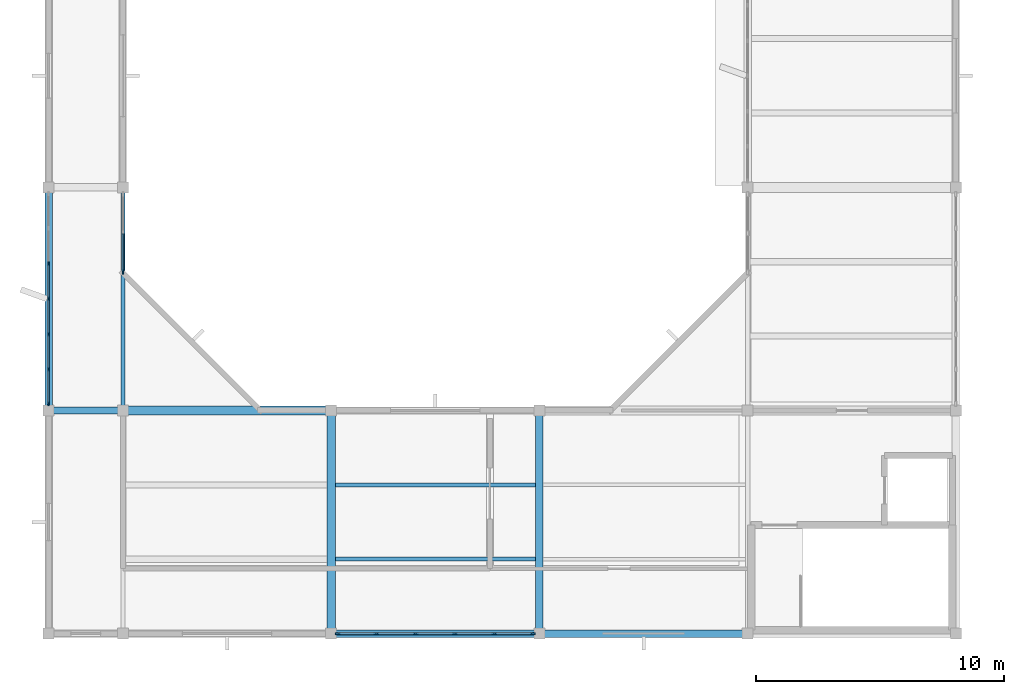
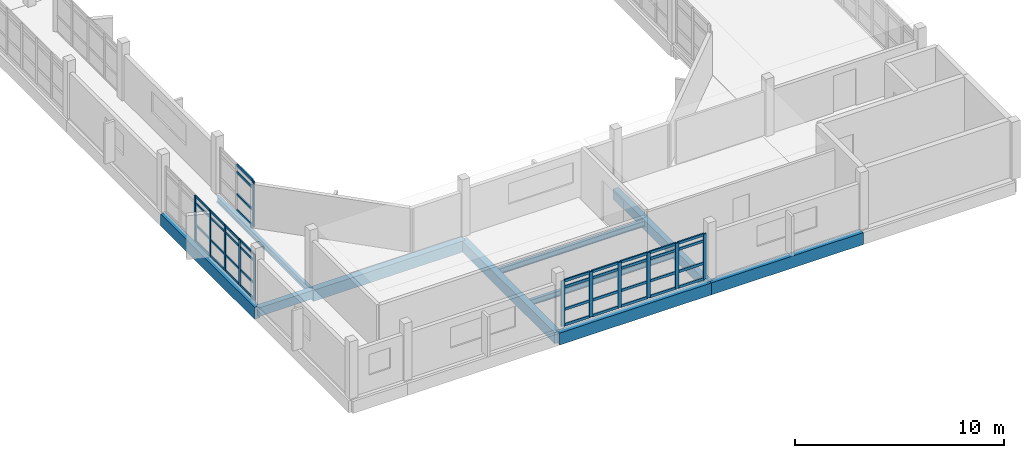
# One storey, part 2 of 33: 52 members, 10 beams, 3 elements without a shape of their own.
"""IFC4 building model written with IfcOpenShell, lengths in metres."""

from ifc_helpers import new_model, si_unit, direction, frame, origin, origin_2d, place, context, subcontext, project, spatial, rectangle, i_section, extrude, material, material_profile, profile_set, type_object, element, aggregate, save


model = new_model("IFC4")

# Units and contexts
model_context = context("Model", 3, precision=1e-05, world=origin(), true_north=direction((0.0, 1.0)))
body_context = subcontext(model_context, "Body", "Model", "MODEL_VIEW")
ifc_project = project(units=[si_unit("LENGTHUNIT", "METRE"), si_unit("AREAUNIT", "SQUARE_METRE"), si_unit("VOLUMEUNIT", "CUBIC_METRE"), si_unit("PLANEANGLEUNIT", "RADIAN"), si_unit("MASSUNIT", "GRAM", prefix="KILO")], contexts=[model_context])

# Site, building, storey
site_placement = place(None, origin())
site = spatial("IfcSite", under=ifc_project, at=site_placement, CompositionType="ELEMENT")
building_placement = place(site_placement, origin())
building = spatial("IfcBuilding", under=site, at=building_placement, Name="Vanh Quang Courtyard School", CompositionType="ELEMENT")
storey_placement = place(building_placement, frame((0.0, 0.0, 18.60009765625)))
storey = spatial("IfcBuildingStorey", under=building, at=storey_placement, Name="L05", CompositionType="ELEMENT", Elevation=18.60009765625)

# Beams
ifc_material_1 = material(Name="Concrete C35/45", Category="concrete")
ifc_material_profile_1 = material_profile(ifc_material_1, rectangle(XDim=0.300048828125, YDim=0.5, at=origin_2d()), Name="RC-BM 300x500")
ifc_profile_set_1 = profile_set([ifc_material_profile_1], Name="Concrete C35/45")
beam_type_1 = type_object("IfcBeamType", Name="BM-RC-300x500", PredefinedType="BEAM", material=ifc_profile_set_1)
beam_1_placement = place(storey_placement, frame((37.800048828125, 41.39990234375, -0.5), z_axis=(1.0, 0.0, 0.0), x_axis=(0.0, 1.0, 0.0)))
element("IfcBeam", 1, at=beam_1_placement, inside=storey, type_object=beam_type_1, Name="Beam B-08 (L05)", PredefinedType="BEAM", context=body_context, shape_type="SweptSolid", body=[
    extrude(rectangle(XDim=0.300048828125, YDim=0.5, at=origin_2d()), origin(), (0.0, 0.0, 1.0), 3.0),
])
ifc_material_profile_2 = material_profile(ifc_material_1, rectangle(XDim=0.300048828125, YDim=0.60009765625, at=origin_2d()), Name="RC-BM 300x600")
ifc_profile_set_2 = profile_set([ifc_material_profile_2], Name="Concrete C35/45")
beam_type_2 = type_object("IfcBeamType", Name="BM-RC-300x600", PredefinedType="BEAM", material=ifc_profile_set_2)
beam_2_placement = place(storey_placement, frame((57.60009765625, 32.39990234375, -0.550048828125), z_axis=(0.0, 1.0, 0.0), x_axis=(-1.0, 0.0, 0.0)))
element("IfcBeam", 2, at=beam_2_placement, inside=storey, type_object=beam_type_2, Name="Beam B-06 (L05)", PredefinedType="BEAM", context=body_context, shape_type="SweptSolid", body=[
    extrude(rectangle(XDim=0.300048828125, YDim=0.60009765625, at=origin_2d()), origin(), (0.0, 0.0, 1.0), 9.0),
])
ifc_material_profile_3 = material_profile(ifc_material_1, rectangle(XDim=0.35009765625, YDim=0.64990234375, at=origin_2d()), Name="RC-BM 350x650")
ifc_profile_set_3 = profile_set([ifc_material_profile_3], Name="Concrete C35/45")
beam_type_3 = type_object("IfcBeamType", Name="BM-RC-350x650", PredefinedType="BEAM", material=ifc_profile_set_3)
beam_3_placement = place(storey_placement, frame((40.800048828125, 41.39990234375, -0.5751953125), z_axis=(1.0, 0.0, 0.0), x_axis=(0.0, 1.0, 0.0)))
element("IfcBeam", 3, at=beam_3_placement, inside=storey, type_object=beam_type_3, Name="Beam B-05 (L05)", PredefinedType="BEAM", context=body_context, shape_type="SweptSolid", body=[
    extrude(rectangle(XDim=0.35009765625, YDim=0.64990234375, at=origin_2d()), origin(), (0.0, 0.0, 1.0), 8.39990234375),
])
beam_4_placement = place(storey_placement, frame((49.199951171875, 32.39990234375, -0.5751953125), z_axis=(0.0, 1.0, 0.0), x_axis=(-1.0, 0.0, 0.0)))
element("IfcBeam", 4, at=beam_4_placement, inside=storey, type_object=beam_type_3, Name="Beam B-05 (L05)", PredefinedType="BEAM", context=body_context, shape_type="SweptSolid", body=[
    extrude(rectangle(XDim=0.35009765625, YDim=0.64990234375, at=origin_2d()), origin(), (0.0, 0.0, 1.0), 9.0),
])
ifc_material_profile_4 = material_profile(ifc_material_1, rectangle(XDim=0.300048828125, YDim=0.699951171875, at=origin_2d()), Name="RC-SP 300x700")
ifc_profile_set_4 = profile_set([ifc_material_profile_4], Name="Concrete C35/45")
beam_type_4 = type_object("IfcBeamType", Name="BM-SP-300x700", PredefinedType="SPANDREL", material=ifc_profile_set_4)
beam_5_placement = place(storey_placement, frame((49.199951171875, 32.39990234375, -0.60009765625), z_axis=(1.0, 0.0, 0.0), x_axis=(0.0, 1.0, 0.0)))
element("IfcBeam", 5, at=beam_5_placement, inside=storey, type_object=beam_type_4, Name="Beam BS-01 (L05)", PredefinedType="SPANDREL", context=body_context, shape_type="SweptSolid", body=[
    extrude(rectangle(XDim=0.300048828125, YDim=0.699951171875, at=origin_2d()), origin(), (0.0, 0.0, 1.0), 8.400146484375),
])
beam_6_placement = place(storey_placement, frame((57.60009765625, 32.39990234375, -0.60009765625), z_axis=(1.0, 0.0, 0.0), x_axis=(0.0, 1.0, 0.0)))
element("IfcBeam", 6, at=beam_6_placement, inside=storey, type_object=beam_type_4, Name="Beam BS-01 (L05)", PredefinedType="SPANDREL", context=body_context, shape_type="SweptSolid", body=[
    extrude(rectangle(XDim=0.300048828125, YDim=0.699951171875, at=origin_2d()), origin(), (0.0, 0.0, 1.0), 8.39990234375),
])
beam_7_placement = place(storey_placement, frame((37.800048828125, 41.39990234375, -0.60009765625), z_axis=(0.0, 1.0, 0.0), x_axis=(-1.0, 0.0, 0.0)))
element("IfcBeam", 7, at=beam_7_placement, inside=storey, type_object=beam_type_4, Name="Beam BS-01 (L05)", PredefinedType="SPANDREL", context=body_context, shape_type="SweptSolid", body=[
    extrude(rectangle(XDim=0.300048828125, YDim=0.699951171875, at=origin_2d()), origin(), (0.0, 0.0, 1.0), 9.0),
])
ifc_material_2 = material(Name="Structural steel EN 10025-2 S355J2", Category="steel")
ifc_material_profile_5 = material_profile(ifc_material_2, i_section(OverallWidth=0.169921875, OverallDepth=0.360107421875, WebThickness=0.008056640625, FlangeThickness=0.0126953125, FilletRadius=0.01806640625, at=origin_2d()), Name="IPE 360")
ifc_profile_set_5 = profile_set([ifc_material_profile_5], Name="Structural steel EN 10025-2 S355J2")
beam_type_5 = type_object("IfcBeamType", Name="BM-STL-IPE360", PredefinedType="BEAM", material=ifc_profile_set_5)
beam_8_placement = place(storey_placement, frame((40.800048828125, 41.39990234375, -0.43017578125), z_axis=(0.0, 1.0, 0.0), x_axis=(-1.0, 0.0, 0.0)))
element("IfcBeam", 8, at=beam_8_placement, inside=storey, type_object=beam_type_5, Name="Beam SB-06 (L05)", PredefinedType="BEAM", context=body_context, shape_type="SweptSolid", body=[
    extrude(i_section(OverallWidth=0.169921875, OverallDepth=0.360107421875, WebThickness=0.008056640625, FlangeThickness=0.0126953125, FilletRadius=0.01806640625, at=origin_2d()), origin(), (0.0, 0.0, 1.0), 9.0),
])

# Curtain wall, members
ifc_material_3 = material(Name="Thermally broken aluminium unitised curtain wall", Category="aluminium")
curtain_wall_type_1 = type_object("IfcCurtainWallType", Name="CW-SYS-50", PredefinedType="NOTDEFINED", material=ifc_material_3)
curtain_wall_1_placement = place(storey_placement, origin())
curtain_wall_1 = element("IfcCurtainWall", 9, at=curtain_wall_1_placement, inside=storey, type_object=curtain_wall_type_1, Name="Curtain Wall CW-50 (L05)", PredefinedType="NOTDEFINED")
ifc_material_4 = material(Name="Anodised aluminium 6063-T6", Category="aluminium")
ifc_material_profile_6 = material_profile(ifc_material_4, rectangle(XDim=0.06005859375, YDim=0.159912109375, at=origin_2d()), Name="ALU-MUL 60x160")
ifc_profile_set_6 = profile_set([ifc_material_profile_6], Name="Anodised aluminium 6063-T6")
member_type_1 = type_object("IfcMemberType", Name="CW-MUL-60x160", PredefinedType="MULLION", material=ifc_profile_set_6)
member_1_placement = place(storey_placement, frame((37.800048828125, 41.6630859375, 0.0), z_axis=(0.0, 0.0, 1.0), x_axis=(-1.0, 0.0, 0.0)))
member_1 = element("IfcMember", 10, at=member_1_placement, type_object=member_type_1, Name="CW-50 mullion 1", PredefinedType="MULLION", context=body_context, shape_type="SweptSolid", body=[
    extrude(rectangle(XDim=0.06005859375, YDim=0.159912109375, at=origin_2d()), origin(), (0.0, 0.0, 1.0), 2.64990234375),
])
member_2_placement = place(storey_placement, frame((37.800048828125, 43.055419921875, 0.0), z_axis=(0.0, 0.0, 1.0), x_axis=(-1.0, 0.0, 0.0)))
member_2 = element("IfcMember", 11, at=member_2_placement, type_object=member_type_1, Name="CW-50 mullion 2", PredefinedType="MULLION", context=body_context, shape_type="SweptSolid", body=[
    extrude(rectangle(XDim=0.06005859375, YDim=0.159912109375, at=origin_2d()), origin(), (0.0, 0.0, 1.0), 2.64990234375),
])
member_3_placement = place(storey_placement, frame((37.800048828125, 44.477783203125, 0.0), z_axis=(0.0, 0.0, 1.0), x_axis=(-1.0, 0.0, 0.0)))
member_3 = element("IfcMember", 12, at=member_3_placement, type_object=member_type_1, Name="CW-50 mullion 3", PredefinedType="MULLION", context=body_context, shape_type="SweptSolid", body=[
    extrude(rectangle(XDim=0.06005859375, YDim=0.159912109375, at=origin_2d()), origin(), (0.0, 0.0, 1.0), 2.64990234375),
])
member_4_placement = place(storey_placement, frame((37.800048828125, 45.89990234375, 0.0), z_axis=(0.0, 0.0, 1.0), x_axis=(-1.0, 0.0, 0.0)))
member_4 = element("IfcMember", 13, at=member_4_placement, type_object=member_type_1, Name="CW-50 mullion 4", PredefinedType="MULLION", context=body_context, shape_type="SweptSolid", body=[
    extrude(rectangle(XDim=0.06005859375, YDim=0.159912109375, at=origin_2d()), origin(), (0.0, 0.0, 1.0), 2.64990234375),
])
member_5_placement = place(storey_placement, frame((37.800048828125, 47.322265625, 0.0), z_axis=(0.0, 0.0, 1.0), x_axis=(-1.0, 0.0, 0.0)))
member_5 = element("IfcMember", 14, at=member_5_placement, type_object=member_type_1, Name="CW-50 mullion 5", PredefinedType="MULLION", context=body_context, shape_type="SweptSolid", body=[
    extrude(rectangle(XDim=0.06005859375, YDim=0.159912109375, at=origin_2d()), origin(), (0.0, 0.0, 1.0), 2.64990234375),
])

# Curtain wall, member
curtain_wall_type_2 = type_object("IfcCurtainWallType", Name="CW-SYS-43", PredefinedType="NOTDEFINED", material=ifc_material_3)
curtain_wall_2_placement = place(storey_placement, origin())
curtain_wall_2 = element("IfcCurtainWall", 15, at=curtain_wall_2_placement, inside=storey, type_object=curtain_wall_type_2, Name="Curtain Wall CW-43 (L05)", PredefinedType="NOTDEFINED")
ifc_material_profile_7 = material_profile(ifc_material_4, rectangle(XDim=0.070068359375, YDim=0.179931640625, at=origin_2d()), Name="ALU-MUL 70x180")
ifc_profile_set_7 = profile_set([ifc_material_profile_7], Name="Anodised aluminium 6063-T6")
member_type_2 = type_object("IfcMemberType", Name="CW-MUL-70x180", PredefinedType="MULLION", material=ifc_profile_set_7)
member_6_placement = place(storey_placement, frame((40.800048828125, 46.97900390625, 0.0), z_axis=(0.0, 0.0, 1.0), x_axis=(1.0, 0.0, 0.0)))
member_6 = element("IfcMember", 16, at=member_6_placement, type_object=member_type_2, Name="CW-43 mullion 3", PredefinedType="MULLION", context=body_context, shape_type="SweptSolid", body=[
    extrude(rectangle(XDim=0.070068359375, YDim=0.179931640625, at=origin_2d()), origin(), (0.0, 0.0, 1.0), 2.699951171875),
])

# Curtain wall, members
curtain_wall_type_3 = type_object("IfcCurtainWallType", Name="CW-SYS-19", PredefinedType="NOTDEFINED", material=ifc_material_3)
curtain_wall_3_placement = place(storey_placement, origin())
curtain_wall_3 = element("IfcCurtainWall", 17, at=curtain_wall_3_placement, inside=storey, type_object=curtain_wall_type_3, Name="Curtain Wall CW-19 (L05)", PredefinedType="NOTDEFINED")
ifc_material_profile_8 = material_profile(ifc_material_4, rectangle(XDim=0.080078125, YDim=0.199951171875, at=origin_2d()), Name="ALU-MUL 80x200")
ifc_profile_set_8 = profile_set([ifc_material_profile_8], Name="Anodised aluminium 6063-T6")
member_type_3 = type_object("IfcMemberType", Name="CW-MUL-80x200", PredefinedType="MULLION", material=ifc_profile_set_8)
member_7_placement = place(storey_placement, frame((57.326904296875, 32.39990234375, 0.0), z_axis=(0.0, 0.0, 1.0), x_axis=(0.0, -1.0, 0.0)))
member_7 = element("IfcMember", 18, at=member_7_placement, type_object=member_type_3, Name="CW-19 mullion 1", PredefinedType="MULLION", context=body_context, shape_type="SweptSolid", body=[
    extrude(rectangle(XDim=0.080078125, YDim=0.199951171875, at=origin_2d()), origin(), (0.0, 0.0, 1.0), 2.64990234375),
])
member_8_placement = place(storey_placement, frame((55.7802734375, 32.39990234375, 0.0), z_axis=(0.0, 0.0, 1.0), x_axis=(0.0, -1.0, 0.0)))
member_8 = element("IfcMember", 19, at=member_8_placement, type_object=member_type_3, Name="CW-19 mullion 2", PredefinedType="MULLION", context=body_context, shape_type="SweptSolid", body=[
    extrude(rectangle(XDim=0.080078125, YDim=0.199951171875, at=origin_2d()), origin(), (0.0, 0.0, 1.0), 2.64990234375),
])
member_9_placement = place(storey_placement, frame((54.193359375, 32.39990234375, 0.0), z_axis=(0.0, 0.0, 1.0), x_axis=(0.0, -1.0, 0.0)))
member_9 = element("IfcMember", 20, at=member_9_placement, type_object=member_type_3, Name="CW-19 mullion 3", PredefinedType="MULLION", context=body_context, shape_type="SweptSolid", body=[
    extrude(rectangle(XDim=0.080078125, YDim=0.199951171875, at=origin_2d()), origin(), (0.0, 0.0, 1.0), 2.64990234375),
])
member_10_placement = place(storey_placement, frame((52.606689453125, 32.39990234375, 0.0), z_axis=(0.0, 0.0, 1.0), x_axis=(0.0, -1.0, 0.0)))
member_10 = element("IfcMember", 21, at=member_10_placement, type_object=member_type_3, Name="CW-19 mullion 4", PredefinedType="MULLION", context=body_context, shape_type="SweptSolid", body=[
    extrude(rectangle(XDim=0.080078125, YDim=0.199951171875, at=origin_2d()), origin(), (0.0, 0.0, 1.0), 2.64990234375),
])
member_11_placement = place(storey_placement, frame((51.019775390625, 32.39990234375, 0.0), z_axis=(0.0, 0.0, 1.0), x_axis=(0.0, -1.0, 0.0)))
member_11 = element("IfcMember", 22, at=member_11_placement, type_object=member_type_3, Name="CW-19 mullion 5", PredefinedType="MULLION", context=body_context, shape_type="SweptSolid", body=[
    extrude(rectangle(XDim=0.080078125, YDim=0.199951171875, at=origin_2d()), origin(), (0.0, 0.0, 1.0), 2.64990234375),
])
member_12_placement = place(storey_placement, frame((49.472900390625, 32.39990234375, 0.0), z_axis=(0.0, 0.0, 1.0), x_axis=(0.0, -1.0, 0.0)))
member_12 = element("IfcMember", 23, at=member_12_placement, type_object=member_type_3, Name="CW-19 mullion 6", PredefinedType="MULLION", context=body_context, shape_type="SweptSolid", body=[
    extrude(rectangle(XDim=0.080078125, YDim=0.199951171875, at=origin_2d()), origin(), (0.0, 0.0, 1.0), 2.64990234375),
])

# Member
ifc_material_profile_9 = material_profile(ifc_material_4, rectangle(XDim=0.06005859375, YDim=0.1201171875, at=origin_2d()), Name="ALU-TRN 60x120")
ifc_profile_set_9 = profile_set([ifc_material_profile_9], Name="Anodised aluminium 6063-T6")
member_type_4 = type_object("IfcMemberType", Name="CW-TRN-60x120", PredefinedType="USERDEFINED", material=ifc_profile_set_9)
member_13_placement = place(storey_placement, frame((37.800048828125, 41.693115234375, 0.02978515625), z_axis=(0.0, 1.0, 0.0), x_axis=(-1.0, 0.0, 0.0)))
member_13 = element("IfcMember", 24, at=member_13_placement, type_object=member_type_4, Name="CW-50 transom 1.1", ObjectType="TRANSOM", PredefinedType="USERDEFINED", context=body_context, shape_type="SweptSolid", body=[
    extrude(rectangle(XDim=0.06005859375, YDim=0.1201171875, at=origin_2d()), origin(), (0.0, 0.0, 1.0), 1.332275390625),
])

member_14_placement = place(storey_placement, frame((37.800048828125, 41.693115234375, 0.949951171875), z_axis=(0.0, 1.0, 0.0), x_axis=(-1.0, 0.0, 0.0)))
member_14 = element("IfcMember", 25, at=member_14_placement, type_object=member_type_4, Name="CW-50 transom 1.2", ObjectType="TRANSOM", PredefinedType="USERDEFINED", context=body_context, shape_type="SweptSolid", body=[
    extrude(rectangle(XDim=0.06005859375, YDim=0.1201171875, at=origin_2d()), origin(), (0.0, 0.0, 1.0), 1.332275390625),
])

member_15_placement = place(storey_placement, frame((37.800048828125, 41.693115234375, 2.25), z_axis=(0.0, 1.0, 0.0), x_axis=(-1.0, 0.0, 0.0)))
member_15 = element("IfcMember", 26, at=member_15_placement, type_object=member_type_4, Name="CW-50 transom 1.3", ObjectType="TRANSOM", PredefinedType="USERDEFINED", context=body_context, shape_type="SweptSolid", body=[
    extrude(rectangle(XDim=0.06005859375, YDim=0.1201171875, at=origin_2d()), origin(), (0.0, 0.0, 1.0), 1.332275390625),
])

member_16_placement = place(storey_placement, frame((37.800048828125, 41.693115234375, 2.619873046875), z_axis=(0.0, 1.0, 0.0), x_axis=(-1.0, 0.0, 0.0)))
member_16 = element("IfcMember", 27, at=member_16_placement, type_object=member_type_4, Name="CW-50 transom 1.4", ObjectType="TRANSOM", PredefinedType="USERDEFINED", context=body_context, shape_type="SweptSolid", body=[
    extrude(rectangle(XDim=0.06005859375, YDim=0.1201171875, at=origin_2d()), origin(), (0.0, 0.0, 1.0), 1.332275390625),
])

member_17_placement = place(storey_placement, frame((37.800048828125, 43.08544921875, 0.02978515625), z_axis=(0.0, 1.0, 0.0), x_axis=(-1.0, 0.0, 0.0)))
member_17 = element("IfcMember", 28, at=member_17_placement, type_object=member_type_4, Name="CW-50 transom 2.1", ObjectType="TRANSOM", PredefinedType="USERDEFINED", context=body_context, shape_type="SweptSolid", body=[
    extrude(rectangle(XDim=0.06005859375, YDim=0.1201171875, at=origin_2d()), origin(), (0.0, 0.0, 1.0), 1.3623046875),
])

member_18_placement = place(storey_placement, frame((37.800048828125, 43.08544921875, 0.949951171875), z_axis=(0.0, 1.0, 0.0), x_axis=(-1.0, 0.0, 0.0)))
member_18 = element("IfcMember", 29, at=member_18_placement, type_object=member_type_4, Name="CW-50 transom 2.2", ObjectType="TRANSOM", PredefinedType="USERDEFINED", context=body_context, shape_type="SweptSolid", body=[
    extrude(rectangle(XDim=0.06005859375, YDim=0.1201171875, at=origin_2d()), origin(), (0.0, 0.0, 1.0), 1.3623046875),
])

member_19_placement = place(storey_placement, frame((37.800048828125, 43.08544921875, 2.25), z_axis=(0.0, 1.0, 0.0), x_axis=(-1.0, 0.0, 0.0)))
member_19 = element("IfcMember", 30, at=member_19_placement, type_object=member_type_4, Name="CW-50 transom 2.3", ObjectType="TRANSOM", PredefinedType="USERDEFINED", context=body_context, shape_type="SweptSolid", body=[
    extrude(rectangle(XDim=0.06005859375, YDim=0.1201171875, at=origin_2d()), origin(), (0.0, 0.0, 1.0), 1.3623046875),
])

member_20_placement = place(storey_placement, frame((37.800048828125, 43.08544921875, 2.619873046875), z_axis=(0.0, 1.0, 0.0), x_axis=(-1.0, 0.0, 0.0)))
member_20 = element("IfcMember", 31, at=member_20_placement, type_object=member_type_4, Name="CW-50 transom 2.4", ObjectType="TRANSOM", PredefinedType="USERDEFINED", context=body_context, shape_type="SweptSolid", body=[
    extrude(rectangle(XDim=0.06005859375, YDim=0.1201171875, at=origin_2d()), origin(), (0.0, 0.0, 1.0), 1.3623046875),
])

member_21_placement = place(storey_placement, frame((37.800048828125, 44.507568359375, 0.02978515625), z_axis=(0.0, 1.0, 0.0), x_axis=(-1.0, 0.0, 0.0)))
member_21 = element("IfcMember", 32, at=member_21_placement, type_object=member_type_4, Name="CW-50 transom 3.1", ObjectType="TRANSOM", PredefinedType="USERDEFINED", context=body_context, shape_type="SweptSolid", body=[
    extrude(rectangle(XDim=0.06005859375, YDim=0.1201171875, at=origin_2d()), origin(), (0.0, 0.0, 1.0), 1.362548828125),
])

member_22_placement = place(storey_placement, frame((37.800048828125, 44.507568359375, 0.949951171875), z_axis=(0.0, 1.0, 0.0), x_axis=(-1.0, 0.0, 0.0)))
member_22 = element("IfcMember", 33, at=member_22_placement, type_object=member_type_4, Name="CW-50 transom 3.2", ObjectType="TRANSOM", PredefinedType="USERDEFINED", context=body_context, shape_type="SweptSolid", body=[
    extrude(rectangle(XDim=0.06005859375, YDim=0.1201171875, at=origin_2d()), origin(), (0.0, 0.0, 1.0), 1.362548828125),
])

member_23_placement = place(storey_placement, frame((37.800048828125, 44.507568359375, 2.25), z_axis=(0.0, 1.0, 0.0), x_axis=(-1.0, 0.0, 0.0)))
member_23 = element("IfcMember", 34, at=member_23_placement, type_object=member_type_4, Name="CW-50 transom 3.3", ObjectType="TRANSOM", PredefinedType="USERDEFINED", context=body_context, shape_type="SweptSolid", body=[
    extrude(rectangle(XDim=0.06005859375, YDim=0.1201171875, at=origin_2d()), origin(), (0.0, 0.0, 1.0), 1.362548828125),
])

member_24_placement = place(storey_placement, frame((37.800048828125, 44.507568359375, 2.619873046875), z_axis=(0.0, 1.0, 0.0), x_axis=(-1.0, 0.0, 0.0)))
member_24 = element("IfcMember", 35, at=member_24_placement, type_object=member_type_4, Name="CW-50 transom 3.4", ObjectType="TRANSOM", PredefinedType="USERDEFINED", context=body_context, shape_type="SweptSolid", body=[
    extrude(rectangle(XDim=0.06005859375, YDim=0.1201171875, at=origin_2d()), origin(), (0.0, 0.0, 1.0), 1.362548828125),
])

member_25_placement = place(storey_placement, frame((37.800048828125, 45.929931640625, 0.02978515625), z_axis=(0.0, 1.0, 0.0), x_axis=(-1.0, 0.0, 0.0)))
member_25 = element("IfcMember", 36, at=member_25_placement, type_object=member_type_4, Name="CW-50 transom 4.1", ObjectType="TRANSOM", PredefinedType="USERDEFINED", context=body_context, shape_type="SweptSolid", body=[
    extrude(rectangle(XDim=0.06005859375, YDim=0.1201171875, at=origin_2d()), origin(), (0.0, 0.0, 1.0), 1.3623046875),
])

member_26_placement = place(storey_placement, frame((37.800048828125, 45.929931640625, 0.949951171875), z_axis=(0.0, 1.0, 0.0), x_axis=(-1.0, 0.0, 0.0)))
member_26 = element("IfcMember", 37, at=member_26_placement, type_object=member_type_4, Name="CW-50 transom 4.2", ObjectType="TRANSOM", PredefinedType="USERDEFINED", context=body_context, shape_type="SweptSolid", body=[
    extrude(rectangle(XDim=0.06005859375, YDim=0.1201171875, at=origin_2d()), origin(), (0.0, 0.0, 1.0), 1.3623046875),
])

member_27_placement = place(storey_placement, frame((37.800048828125, 45.929931640625, 2.25), z_axis=(0.0, 1.0, 0.0), x_axis=(-1.0, 0.0, 0.0)))
member_27 = element("IfcMember", 38, at=member_27_placement, type_object=member_type_4, Name="CW-50 transom 4.3", ObjectType="TRANSOM", PredefinedType="USERDEFINED", context=body_context, shape_type="SweptSolid", body=[
    extrude(rectangle(XDim=0.06005859375, YDim=0.1201171875, at=origin_2d()), origin(), (0.0, 0.0, 1.0), 1.3623046875),
])

member_28_placement = place(storey_placement, frame((37.800048828125, 45.929931640625, 2.619873046875), z_axis=(0.0, 1.0, 0.0), x_axis=(-1.0, 0.0, 0.0)))
member_28 = element("IfcMember", 39, at=member_28_placement, type_object=member_type_4, Name="CW-50 transom 4.4", ObjectType="TRANSOM", PredefinedType="USERDEFINED", context=body_context, shape_type="SweptSolid", body=[
    extrude(rectangle(XDim=0.06005859375, YDim=0.1201171875, at=origin_2d()), origin(), (0.0, 0.0, 1.0), 1.3623046875),
])

aggregate(curtain_wall_1, [member_1, member_2, member_3, member_4, member_5, member_13, member_14, member_15, member_16, member_17, member_18, member_19, member_20, member_21, member_22, member_23, member_24, member_25, member_26, member_27, member_28])

ifc_material_profile_10 = material_profile(ifc_material_4, rectangle(XDim=0.070068359375, YDim=0.139892578125, at=origin_2d()), Name="ALU-TRN 70x140")
ifc_profile_set_10 = profile_set([ifc_material_profile_10], Name="Anodised aluminium 6063-T6")
member_type_5 = type_object("IfcMemberType", Name="CW-TRN-70x140", PredefinedType="USERDEFINED", material=ifc_profile_set_10)
member_29_placement = place(storey_placement, frame((40.800048828125, 48.5205078125, 0.034912109375), z_axis=(0.0, -1.0, 0.0), x_axis=(1.0, 0.0, 0.0)))
member_29 = element("IfcMember", 40, at=member_29_placement, type_object=member_type_5, Name="CW-43 transom 2.1", ObjectType="TRANSOM", PredefinedType="USERDEFINED", context=body_context, shape_type="SweptSolid", body=[
    extrude(rectangle(XDim=0.070068359375, YDim=0.139892578125, at=origin_2d()), origin(), (0.0, 0.0, 1.0), 1.506591796875),
])

member_30_placement = place(storey_placement, frame((40.800048828125, 48.5205078125, 0.949951171875), z_axis=(0.0, -1.0, 0.0), x_axis=(1.0, 0.0, 0.0)))
member_30 = element("IfcMember", 41, at=member_30_placement, type_object=member_type_5, Name="CW-43 transom 2.2", ObjectType="TRANSOM", PredefinedType="USERDEFINED", context=body_context, shape_type="SweptSolid", body=[
    extrude(rectangle(XDim=0.070068359375, YDim=0.139892578125, at=origin_2d()), origin(), (0.0, 0.0, 1.0), 1.506591796875),
])

member_31_placement = place(storey_placement, frame((40.800048828125, 48.5205078125, 2.25), z_axis=(0.0, -1.0, 0.0), x_axis=(1.0, 0.0, 0.0)))
member_31 = element("IfcMember", 42, at=member_31_placement, type_object=member_type_5, Name="CW-43 transom 2.3", ObjectType="TRANSOM", PredefinedType="USERDEFINED", context=body_context, shape_type="SweptSolid", body=[
    extrude(rectangle(XDim=0.070068359375, YDim=0.139892578125, at=origin_2d()), origin(), (0.0, 0.0, 1.0), 1.506591796875),
])

member_32_placement = place(storey_placement, frame((40.800048828125, 48.5205078125, 2.664794921875), z_axis=(0.0, -1.0, 0.0), x_axis=(1.0, 0.0, 0.0)))
member_32 = element("IfcMember", 43, at=member_32_placement, type_object=member_type_5, Name="CW-43 transom 2.4", ObjectType="TRANSOM", PredefinedType="USERDEFINED", context=body_context, shape_type="SweptSolid", body=[
    extrude(rectangle(XDim=0.070068359375, YDim=0.139892578125, at=origin_2d()), origin(), (0.0, 0.0, 1.0), 1.506591796875),
])

aggregate(curtain_wall_2, [member_6, member_29, member_30, member_31, member_32])

ifc_material_profile_11 = material_profile(ifc_material_4, rectangle(XDim=0.080078125, YDim=0.14990234375, at=origin_2d()), Name="ALU-TRN 80x150")
ifc_profile_set_11 = profile_set([ifc_material_profile_11], Name="Anodised aluminium 6063-T6")
member_type_6 = type_object("IfcMemberType", Name="CW-TRN-80x150", PredefinedType="USERDEFINED", material=ifc_profile_set_11)
member_33_placement = place(storey_placement, frame((57.287109375, 32.39990234375, 0.039794921875), z_axis=(-1.0, 0.0, 0.0), x_axis=(0.0, -1.0, 0.0)))
member_33 = element("IfcMember", 44, at=member_33_placement, type_object=member_type_6, Name="CW-19 transom 1.1", ObjectType="TRANSOM", PredefinedType="USERDEFINED", context=body_context, shape_type="SweptSolid", body=[
    extrude(rectangle(XDim=0.080078125, YDim=0.14990234375, at=origin_2d()), origin(), (0.0, 0.0, 1.0), 1.466796875),
])

member_34_placement = place(storey_placement, frame((57.287109375, 32.39990234375, 0.949951171875), z_axis=(-1.0, 0.0, 0.0), x_axis=(0.0, -1.0, 0.0)))
member_34 = element("IfcMember", 45, at=member_34_placement, type_object=member_type_6, Name="CW-19 transom 1.2", ObjectType="TRANSOM", PredefinedType="USERDEFINED", context=body_context, shape_type="SweptSolid", body=[
    extrude(rectangle(XDim=0.080078125, YDim=0.14990234375, at=origin_2d()), origin(), (0.0, 0.0, 1.0), 1.466796875),
])

member_35_placement = place(storey_placement, frame((57.287109375, 32.39990234375, 2.25), z_axis=(-1.0, 0.0, 0.0), x_axis=(0.0, -1.0, 0.0)))
member_35 = element("IfcMember", 46, at=member_35_placement, type_object=member_type_6, Name="CW-19 transom 1.3", ObjectType="TRANSOM", PredefinedType="USERDEFINED", context=body_context, shape_type="SweptSolid", body=[
    extrude(rectangle(XDim=0.080078125, YDim=0.14990234375, at=origin_2d()), origin(), (0.0, 0.0, 1.0), 1.466796875),
])

member_36_placement = place(storey_placement, frame((57.287109375, 32.39990234375, 2.60986328125), z_axis=(-1.0, 0.0, 0.0), x_axis=(0.0, -1.0, 0.0)))
member_36 = element("IfcMember", 47, at=member_36_placement, type_object=member_type_6, Name="CW-19 transom 1.4", ObjectType="TRANSOM", PredefinedType="USERDEFINED", context=body_context, shape_type="SweptSolid", body=[
    extrude(rectangle(XDim=0.080078125, YDim=0.14990234375, at=origin_2d()), origin(), (0.0, 0.0, 1.0), 1.466796875),
])

member_37_placement = place(storey_placement, frame((55.740234375, 32.39990234375, 0.039794921875), z_axis=(-1.0, 0.0, 0.0), x_axis=(0.0, -1.0, 0.0)))
member_37 = element("IfcMember", 48, at=member_37_placement, type_object=member_type_6, Name="CW-19 transom 2.1", ObjectType="TRANSOM", PredefinedType="USERDEFINED", context=body_context, shape_type="SweptSolid", body=[
    extrude(rectangle(XDim=0.080078125, YDim=0.14990234375, at=origin_2d()), origin(), (0.0, 0.0, 1.0), 1.5068359375),
])

member_38_placement = place(storey_placement, frame((55.740234375, 32.39990234375, 0.949951171875), z_axis=(-1.0, 0.0, 0.0), x_axis=(0.0, -1.0, 0.0)))
member_38 = element("IfcMember", 49, at=member_38_placement, type_object=member_type_6, Name="CW-19 transom 2.2", ObjectType="TRANSOM", PredefinedType="USERDEFINED", context=body_context, shape_type="SweptSolid", body=[
    extrude(rectangle(XDim=0.080078125, YDim=0.14990234375, at=origin_2d()), origin(), (0.0, 0.0, 1.0), 1.5068359375),
])

member_39_placement = place(storey_placement, frame((55.740234375, 32.39990234375, 2.25), z_axis=(-1.0, 0.0, 0.0), x_axis=(0.0, -1.0, 0.0)))
member_39 = element("IfcMember", 50, at=member_39_placement, type_object=member_type_6, Name="CW-19 transom 2.3", ObjectType="TRANSOM", PredefinedType="USERDEFINED", context=body_context, shape_type="SweptSolid", body=[
    extrude(rectangle(XDim=0.080078125, YDim=0.14990234375, at=origin_2d()), origin(), (0.0, 0.0, 1.0), 1.5068359375),
])

member_40_placement = place(storey_placement, frame((55.740234375, 32.39990234375, 2.60986328125), z_axis=(-1.0, 0.0, 0.0), x_axis=(0.0, -1.0, 0.0)))
member_40 = element("IfcMember", 51, at=member_40_placement, type_object=member_type_6, Name="CW-19 transom 2.4", ObjectType="TRANSOM", PredefinedType="USERDEFINED", context=body_context, shape_type="SweptSolid", body=[
    extrude(rectangle(XDim=0.080078125, YDim=0.14990234375, at=origin_2d()), origin(), (0.0, 0.0, 1.0), 1.5068359375),
])

member_41_placement = place(storey_placement, frame((54.1533203125, 32.39990234375, 0.039794921875), z_axis=(-1.0, 0.0, 0.0), x_axis=(0.0, -1.0, 0.0)))
member_41 = element("IfcMember", 52, at=member_41_placement, type_object=member_type_6, Name="CW-19 transom 3.1", ObjectType="TRANSOM", PredefinedType="USERDEFINED", context=body_context, shape_type="SweptSolid", body=[
    extrude(rectangle(XDim=0.080078125, YDim=0.14990234375, at=origin_2d()), origin(), (0.0, 0.0, 1.0), 1.5068359375),
])

member_42_placement = place(storey_placement, frame((54.1533203125, 32.39990234375, 0.949951171875), z_axis=(-1.0, 0.0, 0.0), x_axis=(0.0, -1.0, 0.0)))
member_42 = element("IfcMember", 53, at=member_42_placement, type_object=member_type_6, Name="CW-19 transom 3.2", ObjectType="TRANSOM", PredefinedType="USERDEFINED", context=body_context, shape_type="SweptSolid", body=[
    extrude(rectangle(XDim=0.080078125, YDim=0.14990234375, at=origin_2d()), origin(), (0.0, 0.0, 1.0), 1.5068359375),
])

member_43_placement = place(storey_placement, frame((54.1533203125, 32.39990234375, 2.25), z_axis=(-1.0, 0.0, 0.0), x_axis=(0.0, -1.0, 0.0)))
member_43 = element("IfcMember", 54, at=member_43_placement, type_object=member_type_6, Name="CW-19 transom 3.3", ObjectType="TRANSOM", PredefinedType="USERDEFINED", context=body_context, shape_type="SweptSolid", body=[
    extrude(rectangle(XDim=0.080078125, YDim=0.14990234375, at=origin_2d()), origin(), (0.0, 0.0, 1.0), 1.5068359375),
])

member_44_placement = place(storey_placement, frame((54.1533203125, 32.39990234375, 2.60986328125), z_axis=(-1.0, 0.0, 0.0), x_axis=(0.0, -1.0, 0.0)))
member_44 = element("IfcMember", 55, at=member_44_placement, type_object=member_type_6, Name="CW-19 transom 3.4", ObjectType="TRANSOM", PredefinedType="USERDEFINED", context=body_context, shape_type="SweptSolid", body=[
    extrude(rectangle(XDim=0.080078125, YDim=0.14990234375, at=origin_2d()), origin(), (0.0, 0.0, 1.0), 1.5068359375),
])

member_45_placement = place(storey_placement, frame((52.566650390625, 32.39990234375, 0.039794921875), z_axis=(-1.0, 0.0, 0.0), x_axis=(0.0, -1.0, 0.0)))
member_45 = element("IfcMember", 56, at=member_45_placement, type_object=member_type_6, Name="CW-19 transom 4.1", ObjectType="TRANSOM", PredefinedType="USERDEFINED", context=body_context, shape_type="SweptSolid", body=[
    extrude(rectangle(XDim=0.080078125, YDim=0.14990234375, at=origin_2d()), origin(), (0.0, 0.0, 1.0), 1.5068359375),
])

member_46_placement = place(storey_placement, frame((52.566650390625, 32.39990234375, 0.949951171875), z_axis=(-1.0, 0.0, 0.0), x_axis=(0.0, -1.0, 0.0)))
member_46 = element("IfcMember", 57, at=member_46_placement, type_object=member_type_6, Name="CW-19 transom 4.2", ObjectType="TRANSOM", PredefinedType="USERDEFINED", context=body_context, shape_type="SweptSolid", body=[
    extrude(rectangle(XDim=0.080078125, YDim=0.14990234375, at=origin_2d()), origin(), (0.0, 0.0, 1.0), 1.5068359375),
])

member_47_placement = place(storey_placement, frame((52.566650390625, 32.39990234375, 2.25), z_axis=(-1.0, 0.0, 0.0), x_axis=(0.0, -1.0, 0.0)))
member_47 = element("IfcMember", 58, at=member_47_placement, type_object=member_type_6, Name="CW-19 transom 4.3", ObjectType="TRANSOM", PredefinedType="USERDEFINED", context=body_context, shape_type="SweptSolid", body=[
    extrude(rectangle(XDim=0.080078125, YDim=0.14990234375, at=origin_2d()), origin(), (0.0, 0.0, 1.0), 1.5068359375),
])

member_48_placement = place(storey_placement, frame((52.566650390625, 32.39990234375, 2.60986328125), z_axis=(-1.0, 0.0, 0.0), x_axis=(0.0, -1.0, 0.0)))
member_48 = element("IfcMember", 59, at=member_48_placement, type_object=member_type_6, Name="CW-19 transom 4.4", ObjectType="TRANSOM", PredefinedType="USERDEFINED", context=body_context, shape_type="SweptSolid", body=[
    extrude(rectangle(XDim=0.080078125, YDim=0.14990234375, at=origin_2d()), origin(), (0.0, 0.0, 1.0), 1.5068359375),
])

member_49_placement = place(storey_placement, frame((50.979736328125, 32.39990234375, 0.039794921875), z_axis=(-1.0, 0.0, 0.0), x_axis=(0.0, -1.0, 0.0)))
member_49 = element("IfcMember", 60, at=member_49_placement, type_object=member_type_6, Name="CW-19 transom 5.1", ObjectType="TRANSOM", PredefinedType="USERDEFINED", context=body_context, shape_type="SweptSolid", body=[
    extrude(rectangle(XDim=0.080078125, YDim=0.14990234375, at=origin_2d()), origin(), (0.0, 0.0, 1.0), 1.466796875),
])

member_50_placement = place(storey_placement, frame((50.979736328125, 32.39990234375, 0.949951171875), z_axis=(-1.0, 0.0, 0.0), x_axis=(0.0, -1.0, 0.0)))
member_50 = element("IfcMember", 61, at=member_50_placement, type_object=member_type_6, Name="CW-19 transom 5.2", ObjectType="TRANSOM", PredefinedType="USERDEFINED", context=body_context, shape_type="SweptSolid", body=[
    extrude(rectangle(XDim=0.080078125, YDim=0.14990234375, at=origin_2d()), origin(), (0.0, 0.0, 1.0), 1.466796875),
])

member_51_placement = place(storey_placement, frame((50.979736328125, 32.39990234375, 2.25), z_axis=(-1.0, 0.0, 0.0), x_axis=(0.0, -1.0, 0.0)))
member_51 = element("IfcMember", 62, at=member_51_placement, type_object=member_type_6, Name="CW-19 transom 5.3", ObjectType="TRANSOM", PredefinedType="USERDEFINED", context=body_context, shape_type="SweptSolid", body=[
    extrude(rectangle(XDim=0.080078125, YDim=0.14990234375, at=origin_2d()), origin(), (0.0, 0.0, 1.0), 1.466796875),
])

member_52_placement = place(storey_placement, frame((50.979736328125, 32.39990234375, 2.60986328125), z_axis=(-1.0, 0.0, 0.0), x_axis=(0.0, -1.0, 0.0)))
member_52 = element("IfcMember", 63, at=member_52_placement, type_object=member_type_6, Name="CW-19 transom 5.4", ObjectType="TRANSOM", PredefinedType="USERDEFINED", context=body_context, shape_type="SweptSolid", body=[
    extrude(rectangle(XDim=0.080078125, YDim=0.14990234375, at=origin_2d()), origin(), (0.0, 0.0, 1.0), 1.466796875),
])

aggregate(curtain_wall_3, [member_7, member_8, member_9, member_10, member_11, member_12, member_33, member_34, member_35, member_36, member_37, member_38, member_39, member_40, member_41, member_42, member_43, member_44, member_45, member_46, member_47, member_48, member_49, member_50, member_51, member_52])

# Beams
ifc_material_profile_12 = material_profile(ifc_material_2, i_section(OverallWidth=0.159912109375, OverallDepth=0.330078125, WebThickness=0.007568359375, FlangeThickness=0.011474609375, FilletRadius=0.01806640625, at=origin_2d()), Name="IPE 330")
ifc_profile_set_12 = profile_set([ifc_material_profile_12], Name="Structural steel EN 10025-2 S355J2")
beam_type_6 = type_object("IfcBeamType", Name="JST-STL-IPE330", PredefinedType="JOIST", material=ifc_profile_set_12)
for number, where, z_axis, x_axis, name in (
    (64, (49.375, 35.39990234375, -0.4150390625), (1.0, 0.0, 0.0), (0.0, 1.0, 0.0), "Beam SJ-01 (L05)"),
    (65, (49.375, 38.39990234375, -0.4150390625), (1.0, 0.0, 0.0), (0.0, 1.0, 0.0), "Beam SJ-01 (L05)"),
):
    element("IfcBeam", number, at=place(storey_placement, frame(where, z_axis=z_axis, x_axis=x_axis)), inside=storey, type_object=beam_type_6, Name=name, PredefinedType="JOIST", context=body_context, shape_type="SweptSolid", body=[
        extrude(i_section(OverallWidth=0.159912109375, OverallDepth=0.330078125, WebThickness=0.007568359375, FlangeThickness=0.011474609375, FilletRadius=0.01806640625, at=origin_2d()), origin(), (0.0, 0.0, 1.0), 8.074951171875),
    ])

save(model, "model.ifc")
